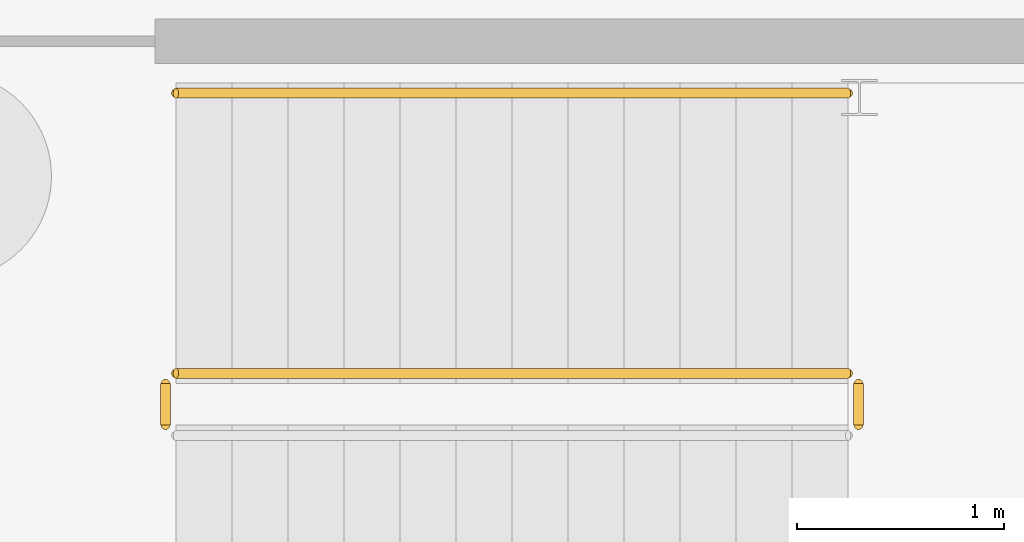
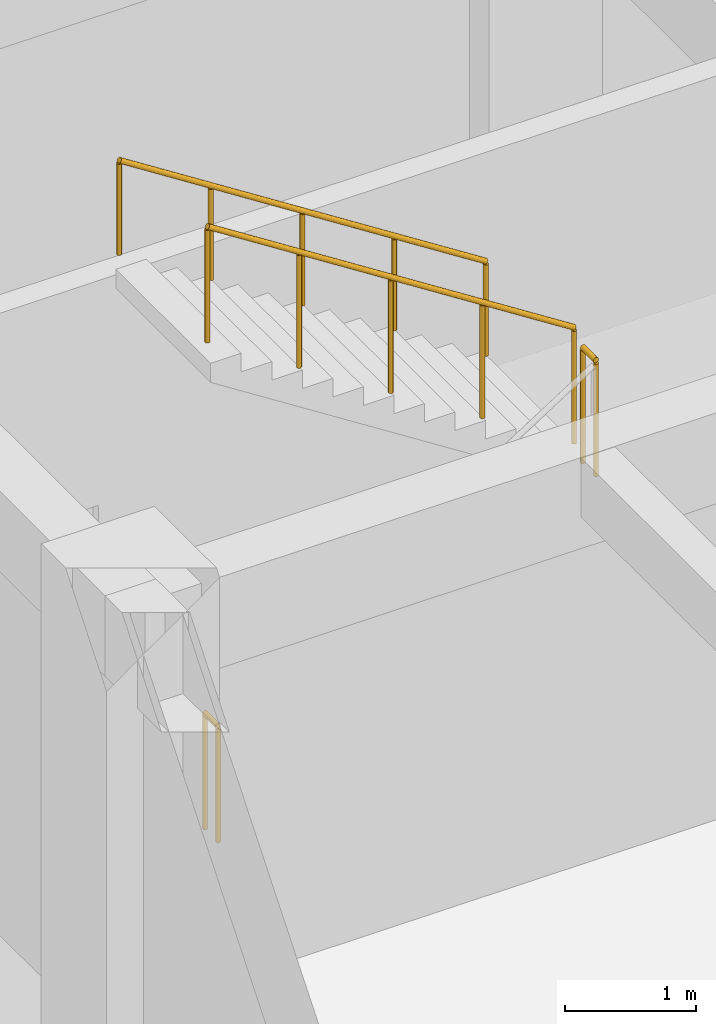
# One storey, part 15 of 15: 4 railings.
"""IFC4 building model written with IfcOpenShell, lengths in metres."""

from ifc_helpers import new_model, si_unit, direction, frame, origin, origin_2d, place, context, subcontext, project, spatial, circle, extrude, material, type_object, element, save


model = new_model("IFC4")

# Units and contexts
model_context = context("Model", 3, precision=1e-05, world=origin(), true_north=direction((0.0, 1.0)))
body_context = subcontext(model_context, "Body", "Model", "MODEL_VIEW")
ifc_project = project(units=[si_unit("LENGTHUNIT", "METRE"), si_unit("AREAUNIT", "SQUARE_METRE"), si_unit("VOLUMEUNIT", "CUBIC_METRE"), si_unit("PLANEANGLEUNIT", "RADIAN"), si_unit("MASSUNIT", "GRAM", prefix="KILO")], contexts=[model_context])

# Site, building, storey
site_placement = place(None, origin())
site = spatial("IfcSite", under=ifc_project, at=site_placement, CompositionType="ELEMENT")
building_placement = place(site_placement, origin())
building = spatial("IfcBuilding", under=site, at=building_placement, Name="Canggui Botanical Conservatory", CompositionType="ELEMENT")
storey_placement = place(building_placement, frame((0.0, 0.0, -9.0)))
storey = spatial("IfcBuildingStorey", under=building, at=storey_placement, Name="B2", CompositionType="ELEMENT", Elevation=-9.0)

# Railings
ifc_material = material(Name="Stainless Steel 304", Category="steel")
railing_type_1 = type_object("IfcRailingType", Name="RAIL-GUARD-1100", PredefinedType="BALUSTRADE", material=ifc_material)
railing_1_placement = place(storey_placement, frame((127.239990234375, 99.949951171875, 2.25)))
element("IfcRailing", 1, at=railing_1_placement, inside=storey, type_object=railing_type_1, Name="B2 ST-G2 stair guard 2", PredefinedType="BALUSTRADE", context=body_context, shape_type="SweptSolid", body=[
    extrude(circle(Radius=0.02392578125, at=origin_2d()), frame((0.0, 0.0, 1.076171875), z_axis=(0.0, 1.0, 0.0), x_axis=(-1.0, 0.0, 0.0)), (0.0, 0.0, 1.0), 0.199951171875),
    extrude(circle(Radius=0.02099609375, at=origin_2d()), origin(), (0.0, 0.0, 1.0), 1.052001953125),
    extrude(circle(Radius=0.02099609375, at=origin_2d()), frame((0.0, 0.199951171875, 0.0)), (0.0, 0.0, 1.0), 1.052001953125),
])
railing_2_placement = place(storey_placement, frame((127.18994140625, 100.199951171875, 2.423095703125)))
element("IfcRailing", 2, at=railing_2_placement, inside=storey, type_object=railing_type_1, Name="B2 ST-G2 stair guard 3", PredefinedType="BALUSTRADE", context=body_context, shape_type="SweptSolid", body=[
    extrude(circle(Radius=0.02392578125, at=origin_2d()), frame((0.0, 0.0, 1.076171875), z_axis=(-0.841880617004, 0.0, 0.539663808971), x_axis=(0.0, -1.0, 0.0)), (0.0, 0.0, 1.0), 3.8486328125),
    extrude(circle(Radius=0.02099609375, at=origin_2d()), origin(), (0.0, 0.0, 1.0), 1.052001953125),
    extrude(circle(Radius=0.02099609375, at=origin_2d()), frame((-0.81005859375, 0.0, 0.519287109375)), (0.0, 0.0, 1.0), 1.052001953125),
    extrude(circle(Radius=0.02099609375, at=origin_2d()), frame((-1.6201171875, 0.0, 1.03857421875)), (0.0, 0.0, 1.0), 1.052001953125),
    extrude(circle(Radius=0.02099609375, at=origin_2d()), frame((-2.429931640625, 0.0, 1.5576171875)), (0.0, 0.0, 1.0), 1.052001953125),
    extrude(circle(Radius=0.02099609375, at=origin_2d()), frame((-3.239990234375, 0.0, 2.076904296875)), (0.0, 0.0, 1.0), 1.052001953125),
])
railing_3_placement = place(storey_placement, frame((123.89990234375, 99.949951171875, 0.0)))
element("IfcRailing", 3, at=railing_3_placement, inside=storey, type_object=railing_type_1, Name="B2 ST-G2 stair guard 4", PredefinedType="BALUSTRADE", context=body_context, shape_type="SweptSolid", body=[
    extrude(circle(Radius=0.02392578125, at=origin_2d()), frame((0.0, 0.0, 1.076171875), z_axis=(0.0, 1.0, 0.0), x_axis=(-1.0, 0.0, 0.0)), (0.0, 0.0, 1.0), 0.199951171875),
    extrude(circle(Radius=0.02099609375, at=origin_2d()), origin(), (0.0, 0.0, 1.0), 1.052001953125),
    extrude(circle(Radius=0.02099609375, at=origin_2d()), frame((0.0, 0.199951171875, 0.0)), (0.0, 0.0, 1.0), 1.052001953125),
])
railing_type_2 = type_object("IfcRailingType", Name="RAIL-HAND-900", PredefinedType="HANDRAIL", material=ifc_material)
railing_4_placement = place(storey_placement, frame((127.18994140625, 101.550048828125, 2.423095703125)))
element("IfcRailing", 4, at=railing_4_placement, inside=storey, type_object=railing_type_2, Name="B2 ST-G2 stair handrail 2", PredefinedType="HANDRAIL", context=body_context, shape_type="SweptSolid", body=[
    extrude(circle(Radius=0.02392578125, at=origin_2d()), frame((0.0, 0.0, 0.8759765625), z_axis=(-0.841880617004, 0.0, 0.539663808971), x_axis=(0.0, -1.0, 0.0)), (0.0, 0.0, 1.0), 3.8486328125),
    extrude(circle(Radius=0.02099609375, at=origin_2d()), origin(), (0.0, 0.0, 1.0), 0.851806640625),
    extrude(circle(Radius=0.02099609375, at=origin_2d()), frame((-0.81005859375, 0.0, 0.519287109375)), (0.0, 0.0, 1.0), 0.851806640625),
    extrude(circle(Radius=0.02099609375, at=origin_2d()), frame((-1.6201171875, 0.0, 1.03857421875)), (0.0, 0.0, 1.0), 0.851806640625),
    extrude(circle(Radius=0.02099609375, at=origin_2d()), frame((-2.429931640625, 0.0, 1.5576171875)), (0.0, 0.0, 1.0), 0.851806640625),
    extrude(circle(Radius=0.02099609375, at=origin_2d()), frame((-3.239990234375, 0.0, 2.076904296875)), (0.0, 0.0, 1.0), 0.851806640625),
])

save(model, "model.ifc")
